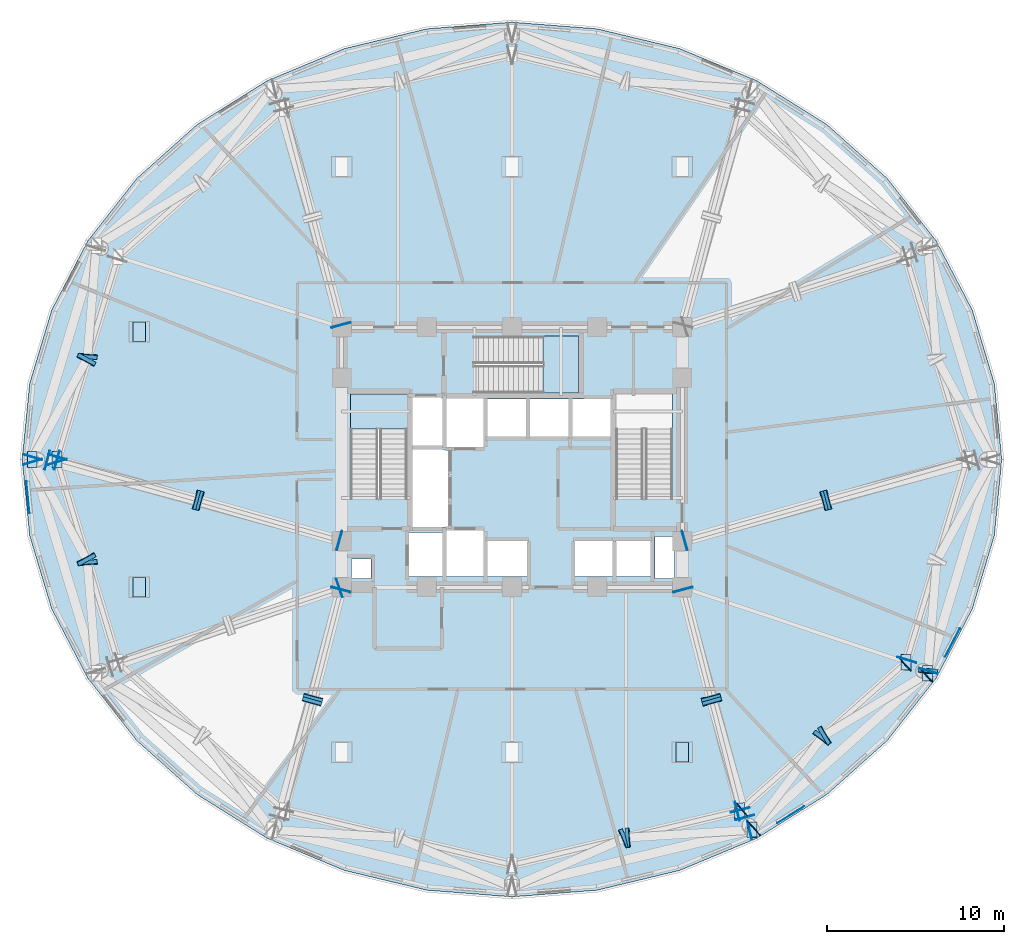
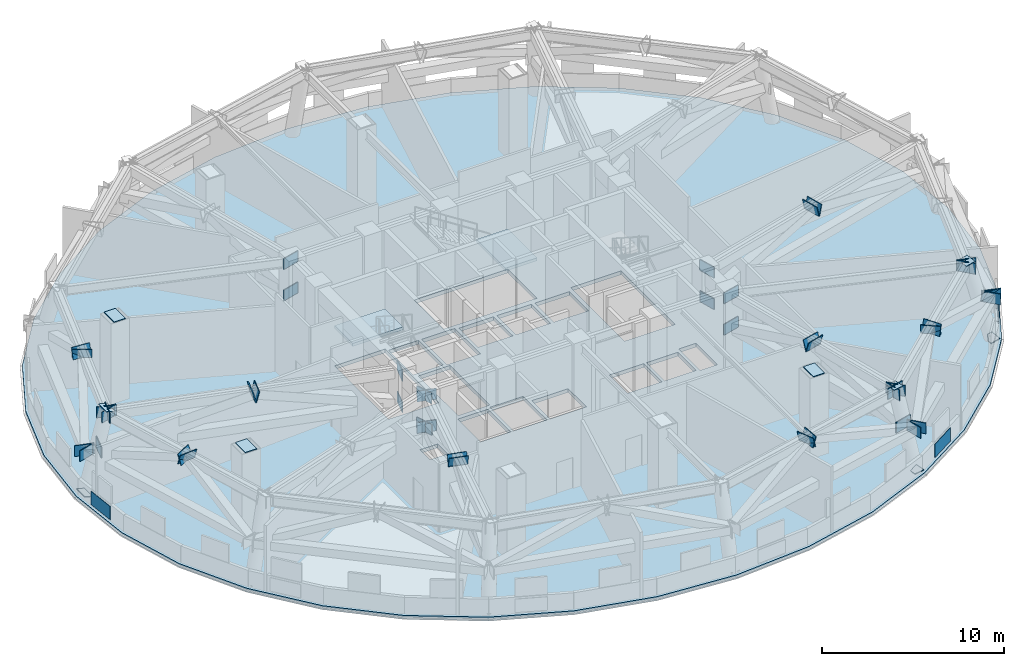
# One storey, part 4 of 14: 57 plates, 3 slabs, 2 elements without a shape of their own.
"""IFC4 building model written with IfcOpenShell, lengths in metres."""

from ifc_helpers import new_model, si_unit, direction, frame, origin, origin_2d, place, context, subcontext, project, spatial, polyline, rectangle, outline, extrude, material, layer, layer_set, type_object, element, aggregate, save


model = new_model("IFC4")

# Units and contexts
model_context = context("Model", 3, precision=1e-05, world=origin(), true_north=direction((0.0, 1.0)))
body_context = subcontext(model_context, "Body", "Model", "MODEL_VIEW")
ifc_project = project(units=[si_unit("LENGTHUNIT", "METRE"), si_unit("AREAUNIT", "SQUARE_METRE"), si_unit("VOLUMEUNIT", "CUBIC_METRE"), si_unit("PLANEANGLEUNIT", "RADIAN"), si_unit("MASSUNIT", "GRAM", prefix="KILO")], contexts=[model_context])

# Site, building, storey
site_placement = place(None, origin())
site = spatial("IfcSite", under=ifc_project, at=site_placement, CompositionType="ELEMENT")
building_placement = place(site_placement, origin())
building = spatial("IfcBuilding", under=site, at=building_placement, Name="Vantalir Tower", CompositionType="ELEMENT")
storey_placement = place(building_placement, frame((0.0, 0.0, 90.75)))
storey = spatial("IfcBuildingStorey", under=building, at=storey_placement, Name="L22", CompositionType="ELEMENT", Elevation=90.75)

# Plates
ifc_material_1 = material(Name="Steel S460", Category="steel")
ifc_layer_1 = layer(ifc_material_1, 0.044921875)
ifc_layer_set_1 = layer_set([ifc_layer_1], Name="Steel S460")
plate_type_1 = type_object("IfcPlateType", Name="PLT-BN-01", PredefinedType="USERDEFINED", material=ifc_layer_set_1)
plate_1_placement = place(storey_placement, frame((40.739990234375, 9.050048828125, 5.43701171875), z_axis=(0.0, 0.0, 1.0), x_axis=(0.0, -1.0, 0.0)))
element("IfcPlate", 1, at=plate_1_placement, inside=storey, type_object=plate_type_1, Name="L22 Mega-Column Cap Plate MC03", ObjectType="FLANGE_PLATE", PredefinedType="USERDEFINED", context=body_context, shape_type="SweptSolid", body=[
    extrude(outline(polyline([(0.0, 0.0), (1.10009765625, 0.0), (1.10009765625, 0.719970703125), (0.0, 0.719970703125), (0.0, 0.0)])), origin(), (0.0, 0.0, -1.0), 0.044921875),
])
for number, where, z_axis, x_axis, name in (
    (2, (10.139892578125, 18.35009765625, 5.43701171875), (0.0, 0.0, 1.0), (0.0, -1.0, 0.0), "L22 Mega-Column Cap Plate MC04"),
    (3, (10.139892578125, 32.75, 5.43701171875), (0.0, 0.0, 1.0), (0.0, -1.0, 0.0), "L22 Mega-Column Cap Plate MC05"),
):
    element("IfcPlate", number, at=place(storey_placement, frame(where, z_axis=z_axis, x_axis=x_axis)), inside=storey, type_object=plate_type_1, Name=name, ObjectType="FLANGE_PLATE", PredefinedType="USERDEFINED", context=body_context, shape_type="SweptSolid", body=[
        extrude(outline(polyline([(0.0, 0.0), (1.10009765625, 0.0), (1.10009765625, 0.72021484375), (0.0, 0.72021484375), (0.0, 0.0)])), origin(), (0.0, 0.0, -1.0), 0.044921875),
    ])
for number, where, z_axis, x_axis, name in (
    (4, (4.489013671875, 25.12890625, 2.4599609375), (0.0, 0.0, 1.0), (-0.288095989916, -0.957601535397, 0.0), "Node Cap Plate MEM-L22-BTCB-06 End"),
    (5, (5.888916015625, 25.12890625, 4.56005859375), (0.0, 0.0, 1.0), (-0.288095989916, -0.957601535397, 0.0), "Node Cap Plate MEM-L22-BTCT-06 End"),
):
    element("IfcPlate", number, at=place(storey_placement, frame(where, z_axis=z_axis, x_axis=x_axis)), inside=storey, type_object=plate_type_1, Name=name, ObjectType="FLANGE_PLATE", PredefinedType="USERDEFINED", context=body_context, shape_type="SweptSolid", body=[
        extrude(rectangle(XDim=0.044921875, YDim=1.10009765625, at=origin_2d()), origin(), (0.0, 0.0, 1.0), 0.719970703125),
    ])
plate_2_placement = place(storey_placement, frame((7.01708984375, 30.72021484375, 4.55224609375), z_axis=(-0.075545187489, -0.946474782726, 0.313812699409), x_axis=(0.996828791913, -0.079576116684, -3.5593745e-05)))
element("IfcPlate", 6, at=plate_2_placement, inside=storey, type_object=plate_type_1, Name="Node Cap Plate MEM-L22-BTDG-06A End", ObjectType="FLANGE_PLATE", PredefinedType="USERDEFINED", context=body_context, shape_type="SweptSolid", body=[
    extrude(outline(polyline([(0.0, 0.0), (1.0999330884693599, 0.0), (1.0999860456021062, 0.7200039702137869), (-0.00017098150866683975, 0.7199214944985355), (0.0, 0.0)])), origin(), (0.0, 0.0, -1.0), 0.044921875),
])
plate_3_placement = place(storey_placement, frame((8.06591796875, 30.474609375, 4.552001953125), z_axis=(0.455980936753, 0.835296250513, 0.307183266468), x_axis=(-0.877734376354, 0.479147539456, 0.0)))
element("IfcPlate", 7, at=plate_3_placement, inside=storey, type_object=plate_type_1, Name="Node Cap Plate MEM-L22-BTDG-06B End", ObjectType="FLANGE_PLATE", PredefinedType="USERDEFINED", context=body_context, shape_type="SweptSolid", body=[
    extrude(outline(polyline([(0.0, 0.0), (1.1000778799230795, 2.7755575615628914e-17), (1.100081401766379, 0.7198637335939378), (3.5218432995476334e-06, 0.7198637335939377), (0.0, 0.0)])), origin(), (0.0, 0.0, -1.0), 0.044921875),
])
for number, where, z_axis, x_axis, name in (
    (8, (4.489013671875, 24.87109375, 2.4599609375), (0.0, 0.0, 1.0), (0.288062563141, -0.957611591261, 0.0), "Node Cap Plate MEM-L22-BTCB-07 Start"),
    (9, (5.888916015625, 24.87109375, 4.56005859375), (0.0, 0.0, 1.0), (0.288062563141, -0.957611591261, 0.0), "Node Cap Plate MEM-L22-BTCT-07 Start"),
):
    element("IfcPlate", number, at=place(storey_placement, frame(where, z_axis=z_axis, x_axis=x_axis)), inside=storey, type_object=plate_type_1, Name=name, ObjectType="FLANGE_PLATE", PredefinedType="USERDEFINED", context=body_context, shape_type="SweptSolid", body=[
        extrude(rectangle(XDim=0.044921875, YDim=1.10009765625, at=origin_2d()), origin(), (0.0, 0.0, 1.0), 0.719970703125),
    ])
plate_4_placement = place(storey_placement, frame((7.100341796875, 18.997802734375, 4.552001953125), z_axis=(0.455980936753, -0.835296250513, 0.307183266468), x_axis=(0.877734376354, 0.479147539456, 0.0)))
element("IfcPlate", 10, at=plate_4_placement, inside=storey, type_object=plate_type_1, Name="Node Cap Plate MEM-L22-BTDG-07A End", ObjectType="FLANGE_PLATE", PredefinedType="USERDEFINED", context=body_context, shape_type="SweptSolid", body=[
    extrude(outline(polyline([(0.0, 0.0), (1.1000778799230795, -2.7755575615628914e-17), (1.1000743580797798, 0.7198637335939377), (-3.5218432995476334e-06, 0.7198637335939377), (0.0, 0.0)])), origin(), (0.0, 0.0, -1.0), 0.044921875),
])
plate_5_placement = place(storey_placement, frame((8.113525390625, 19.36669921875, 4.55224609375), z_axis=(-0.075444490677, 0.946533323672, 0.313660319461), x_axis=(-0.996838454805, -0.079454987357, 2.626265e-06)))
element("IfcPlate", 11, at=plate_5_placement, inside=storey, type_object=plate_type_1, Name="Node Cap Plate MEM-L22-BTDG-07B End", ObjectType="FLANGE_PLATE", PredefinedType="USERDEFINED", context=body_context, shape_type="SweptSolid", body=[
    extrude(outline(polyline([(0.0, 0.0), (1.0999136684573285, 3.469446951953614e-18), (1.1000346754603472, 0.719921515384006), (-0.00012236176036169047, 0.7199276004334602), (0.0, 0.0)])), origin(), (0.0, 0.0, -1.0), 0.044921875),
])
for number, where, z_axis, x_axis, name in (
    (12, (44.89404296875, 4.10400390625, 2.4599609375), (0.0, 0.0, 1.0), (0.972678718536, 0.232155358558, 0.0), "Node Cap Plate MEM-L22-BTCB-10 End"),
    (13, (44.194091796875, 5.18603515625, 4.56005859375), (0.0, 0.0, 1.0), (0.972694923667, 0.232087452208, 0.0), "Node Cap Plate MEM-L22-BTCT-10 End"),
):
    element("IfcPlate", number, at=place(storey_placement, frame(where, z_axis=z_axis, x_axis=x_axis)), inside=storey, type_object=plate_type_1, Name=name, ObjectType="FLANGE_PLATE", PredefinedType="USERDEFINED", context=body_context, shape_type="SweptSolid", body=[
        extrude(rectangle(XDim=0.044921875, YDim=1.10009765625, at=origin_2d()), origin(), (0.0, 0.0, 1.0), 0.719970703125),
    ])
plate_6_placement = place(storey_placement, frame((38.1533203125, 3.19189453125, 4.55126953125), z_axis=(0.87878221674, 0.380933171843, 0.287457360543), x_axis=(-0.397719547411, 0.917507036271, 0.0)))
element("IfcPlate", 14, at=plate_6_placement, inside=storey, type_object=plate_type_1, Name="Node Cap Plate MEM-L22-BTDG-10A End", ObjectType="FLANGE_PLATE", PredefinedType="USERDEFINED", context=body_context, shape_type="SweptSolid", body=[
    extrude(outline(polyline([(0.0, 0.0), (1.1000213664320597, -1.3877787807814457e-17), (1.1000765267500616, 0.7200897811236213), (5.516031800195664e-05, 0.7200897811236214), (0.0, 0.0)])), origin(), (0.0, 0.0, -1.0), 0.044921875),
])
plate_7_placement = place(storey_placement, frame((37.855712890625, 4.234619140625, 4.55126953125), z_axis=(-0.957314643324, -0.06045749582, 0.282654497359), x_axis=(0.063027650842, -0.998011781108, 0.0)))
element("IfcPlate", 15, at=plate_7_placement, inside=storey, type_object=plate_type_1, Name="Node Cap Plate MEM-L22-BTDG-10B End", ObjectType="FLANGE_PLATE", PredefinedType="USERDEFINED", context=body_context, shape_type="SweptSolid", body=[
    extrude(outline(polyline([(0.0, 0.0), (1.100087605585815, 6.938893903907228e-18), (1.1002200257231671, 0.7200355934995311), (0.00013242013735213293, 0.7200355934995311), (0.0, 0.0)])), origin(), (0.0, 0.0, -1.0), 0.044921875),
])
for number, where, z_axis, x_axis, name in (
    (16, (45.1259765625, 4.22509765625, 2.4599609375), (0.0, 0.0, 1.0), (0.746765883584, 0.665086998155, 0.0), "Node Cap Plate MEM-L22-BTCB-11 Start"),
    (17, (54.824951171875, 12.863037109375, 2.4599609375), (0.0, 0.0, 1.0), (0.746765883584, 0.665086998155, 0.0), "Node Cap Plate MEM-L22-BTCB-11 End"),
    (18, (44.426025390625, 5.306884765625, 4.56005859375), (0.0, 0.0, 1.0), (0.746812313596, 0.66503486244, 0.0), "Node Cap Plate MEM-L22-BTCT-11 Start"),
    (19, (53.613037109375, 13.488037109375, 4.56005859375), (0.0, 0.0, 1.0), (0.746812313596, 0.66503486244, 0.0), "Node Cap Plate MEM-L22-BTCT-11 End"),
):
    element("IfcPlate", number, at=place(storey_placement, frame(where, z_axis=z_axis, x_axis=x_axis)), inside=storey, type_object=plate_type_1, Name=name, ObjectType="FLANGE_PLATE", PredefinedType="USERDEFINED", context=body_context, shape_type="SweptSolid", body=[
        extrude(rectangle(XDim=0.044921875, YDim=1.10009765625, at=origin_2d()), origin(), (0.0, 0.0, 1.0), 0.719970703125),
    ])
plate_8_placement = place(storey_placement, frame((49.4755859375, 9.0888671875, 4.5517578125), z_axis=(0.576260353271, 0.759038967524, 0.302958497205), x_axis=(-0.796470073612, 0.604677948863, 0.0)))
element("IfcPlate", 20, at=plate_8_placement, inside=storey, type_object=plate_type_1, Name="Node Cap Plate MEM-L22-BTDG-11A End", ObjectType="FLANGE_PLATE", PredefinedType="USERDEFINED", context=body_context, shape_type="SweptSolid", body=[
    extrude(outline(polyline([(0.0, 0.0), (1.099823573442666, 0.0), (1.0997169182083626, 0.7201223461339227), (-0.00010665523430342105, 0.7201223461339227), (0.0, 0.0)])), origin(), (0.0, 0.0, -1.0), 0.044921875),
])
plate_9_placement = place(storey_placement, frame((48.714111328125, 9.85546875, 4.551513671875), z_axis=(-0.81965369578, -0.493214748166, 0.29138811092), x_axis=(0.515592927957, -0.856833666698, 1.5950468e-05)))
element("IfcPlate", 21, at=plate_9_placement, inside=storey, type_object=plate_type_1, Name="Node Cap Plate MEM-L22-BTDG-11B End", ObjectType="FLANGE_PLATE", PredefinedType="USERDEFINED", context=body_context, shape_type="SweptSolid", body=[
    extrude(outline(polyline([(0.0, 0.0), (1.0998780090567686, 0.0), (1.0998643559557049, 0.7199452428417695), (-0.00022284100797215426, 0.7199819251472238), (0.0, 0.0)])), origin(), (0.0, 0.0, -1.0), 0.044921875),
])
for number, where, z_axis, x_axis, name in (
    (22, (54.965087890625, 13.08203125, 2.4599609375), (0.0, 0.0, 1.0), (0.288062563141, 0.957611591261, 0.0), "Node Cap Plate MEM-L22-BTCB-12 Start"),
    (23, (53.7529296875, 13.70703125, 4.56005859375), (0.0, 0.0, 1.0), (0.288062563141, 0.957611591261, 0.0), "Node Cap Plate MEM-L22-BTCT-12 Start"),
):
    element("IfcPlate", number, at=place(storey_placement, frame(where, z_axis=z_axis, x_axis=x_axis)), inside=storey, type_object=plate_type_1, Name=name, ObjectType="FLANGE_PLATE", PredefinedType="USERDEFINED", context=body_context, shape_type="SweptSolid", body=[
        extrude(rectangle(XDim=0.044921875, YDim=1.10009765625, at=origin_2d()), origin(), (0.0, 0.0, 1.0), 0.719970703125),
    ])
plate_10_placement = place(storey_placement, frame((55.4951171875, 13.17138671875, 2.52783203125), z_axis=(0.075444490677, 0.946533323672, 0.313660319461), x_axis=(-0.996838454805, 0.079454987357, -2.626265e-06)))
element("IfcPlate", 24, at=plate_10_placement, inside=storey, type_object=plate_type_1, Name="Node Cap Plate MEM-L22-BTDG-12A Start", ObjectType="FLANGE_PLATE", PredefinedType="USERDEFINED", context=body_context, shape_type="SweptSolid", body=[
    extrude(outline(polyline([(0.0, 0.0), (1.0999136684573285, -3.469446951953614e-18), (1.1000360302176904, 0.7199276004334602), (-0.00012100700301834656, 0.719921515384006), (0.0, 0.0)])), origin(), (0.0, 0.0, -1.0), 0.044921875),
])
for number, where, z_axis, x_axis, name in (
    (25, (41.22998046875, 20.43603515625, 2.4599609375), (0.0, 0.0, 1.0), (0.9641695239, 0.26528688091, 0.0), "Node Cap Plate MEM-L22-ORCB-01 Start"),
    (26, (41.22998046875, 20.43701171875, 4.56005859375), (0.0, 0.0, 1.0), (0.961855980942, 0.273556341412, 0.0), "Node Cap Plate MEM-L22-ORCT-01 Start"),
):
    element("IfcPlate", number, at=place(storey_placement, frame(where, z_axis=z_axis, x_axis=x_axis)), inside=storey, type_object=plate_type_1, Name=name, ObjectType="FLANGE_PLATE", PredefinedType="USERDEFINED", context=body_context, shape_type="SweptSolid", body=[
        extrude(rectangle(XDim=0.044921875, YDim=1.10009765625, at=origin_2d()), origin(), (0.0, 0.0, 1.0), 0.719970703125),
    ])
plate_11_placement = place(storey_placement, frame((49.34423828125, 22.1728515625, 4.550537109375), z_axis=(0.933190140033, 0.265379983293, 0.242341962962), x_axis=(-0.273539809608, 0.961860682183, 2.5094562e-05)))
element("IfcPlate", 27, at=plate_11_placement, inside=storey, type_object=plate_type_1, Name="Node Cap Plate MEM-L22-ORDG-01A End", ObjectType="FLANGE_PLATE", PredefinedType="USERDEFINED", context=body_context, shape_type="SweptSolid", body=[
    extrude(outline(polyline([(0.0, 0.0), (1.1000924760323592, 1.3877787807814457e-17), (1.0999628315329462, 0.720170503977358), (-6.286231933270773e-05, 0.7202274113372754), (0.0, 0.0)])), origin(), (0.0, 0.0, -1.0), 0.044921875),
])
plate_12_placement = place(storey_placement, frame((49.044189453125, 23.23095703125, 4.550537109375), z_axis=(-0.940661166568, -0.250641312328, 0.228769539635), x_axis=(0.257470684686, -0.966286110056, 6.364068e-06)))
element("IfcPlate", 28, at=plate_12_placement, inside=storey, type_object=plate_type_1, Name="Node Cap Plate MEM-L22-ORDG-01B Start", ObjectType="FLANGE_PLATE", PredefinedType="USERDEFINED", context=body_context, shape_type="SweptSolid", body=[
    extrude(outline(polyline([(0.0, 0.0), (1.0998314041281183, 0.0), (1.1000075908014069, 0.7200150950947488), (-5.972302154930143e-05, 0.7200294767930976), (0.0, 0.0)])), origin(), (0.0, 0.0, -1.0), 0.044921875),
])
for number, where, z_axis, x_axis, name in (
    (29, (21.864013671875, 32.580078125, 2.4599609375), (0.0, 0.0, 1.0), (-0.266952449408, 0.963709702013, 0.0), "Node Cap Plate MEM-L22-ORCB-04 Start"),
    (30, (21.864990234375, 32.5810546875, 4.56005859375), (0.0, 0.0, 1.0), (-0.255681989828, 0.966760942569, 0.0), "Node Cap Plate MEM-L22-ORCT-04 Start"),
    (31, (21.77001953125, 20.43603515625, 2.4599609375), (0.0, 0.0, 1.0), (-0.9641695239, 0.26528688091, 0.0), "Node Cap Plate MEM-L22-ORCB-05 Start"),
    (32, (5.31103515625, 24.964111328125, 2.4599609375), (0.0, 0.0, 1.0), (-0.9641695239, 0.26528688091, 0.0), "Node Cap Plate MEM-L22-ORCB-05 End"),
    (33, (21.77001953125, 20.43701171875, 4.56005859375), (0.0, 0.0, 1.0), (-0.961855980942, 0.273556341412, 0.0), "Node Cap Plate MEM-L22-ORCT-05 Start"),
    (34, (5.85498046875, 24.962890625, 4.56005859375), (0.0, 0.0, 1.0), (-0.961855980942, 0.273556341412, 0.0), "Node Cap Plate MEM-L22-ORCT-05 End"),
):
    element("IfcPlate", number, at=place(storey_placement, frame(where, z_axis=z_axis, x_axis=x_axis)), inside=storey, type_object=plate_type_1, Name=name, ObjectType="FLANGE_PLATE", PredefinedType="USERDEFINED", context=body_context, shape_type="SweptSolid", body=[
        extrude(rectangle(XDim=0.044921875, YDim=1.10009765625, at=origin_2d()), origin(), (0.0, 0.0, 1.0), 0.719970703125),
    ])
plate_13_placement = place(storey_placement, frame((13.956787109375, 23.23095703125, 4.550537109375), z_axis=(-0.933190140033, 0.265379983293, 0.242341962962), x_axis=(-0.273539809608, -0.961860682183, -2.5094562e-05)))
element("IfcPlate", 35, at=plate_13_placement, inside=storey, type_object=plate_type_1, Name="Node Cap Plate MEM-L22-ORDG-05A End", ObjectType="FLANGE_PLATE", PredefinedType="USERDEFINED", context=body_context, shape_type="SweptSolid", body=[
    extrude(outline(polyline([(0.0, 0.0), (1.1000924760323592, -1.3877787807814457e-17), (1.1001553383516918, 0.7202274113372755), (0.0001296444994129029, 0.7201705039773579), (0.0, 0.0)])), origin(), (0.0, 0.0, -1.0), 0.044921875),
])
plate_14_placement = place(storey_placement, frame((13.672607421875, 22.168212890625, 4.550537109375), z_axis=(0.940661166568, -0.250641312328, 0.228769539635), x_axis=(0.257470684686, 0.966286110056, -6.364068e-06)))
element("IfcPlate", 36, at=plate_14_placement, inside=storey, type_object=plate_type_1, Name="Node Cap Plate MEM-L22-ORDG-05B Start", ObjectType="FLANGE_PLATE", PredefinedType="USERDEFINED", context=body_context, shape_type="SweptSolid", body=[
    extrude(outline(polyline([(0.0, 0.0), (1.0998314041281183, 0.0), (1.0998911271496676, 0.7200294767930975), (-0.00017618667328857967, 0.7200150950947488), (0.0, 0.0)])), origin(), (0.0, 0.0, -1.0), 0.044921875),
])
for number, where, z_axis, x_axis, name in (
    (37, (21.77197265625, 17.756103515625, 2.4599609375), (0.0, 0.0, 1.0), (-0.946006182629, -0.324148580789, 0.0), "Node Cap Plate MEM-L22-ORCB-06 Start"),
    (38, (21.77197265625, 17.757080078125, 4.56005859375), (0.0, 0.0, 1.0), (-0.947851880881, -0.318711173181, 0.0), "Node Cap Plate MEM-L22-ORCT-06 Start"),
    (39, (21.864990234375, 17.669921875, 2.4599609375), (0.0, 0.0, 1.0), (-0.262206021316, -0.965011918261, 0.0), "Node Cap Plate MEM-L22-ORCB-07 Start"),
    (40, (21.865966796875, 17.6689453125, 4.56005859375), (0.0, 0.0, 1.0), (-0.250971365041, -0.967994511312, 0.0), "Node Cap Plate MEM-L22-ORCT-07 Start"),
):
    element("IfcPlate", number, at=place(storey_placement, frame(where, z_axis=z_axis, x_axis=x_axis)), inside=storey, type_object=plate_type_1, Name=name, ObjectType="FLANGE_PLATE", PredefinedType="USERDEFINED", context=body_context, shape_type="SweptSolid", body=[
        extrude(rectangle(XDim=0.044921875, YDim=1.10009765625, at=origin_2d()), origin(), (0.0, 0.0, 1.0), 0.719970703125),
    ])
plate_15_placement = place(storey_placement, frame((19.71630859375, 11.568603515625, 4.5517578125), z_axis=(-0.238960989734, -0.921812362873, 0.305220597338), x_axis=(0.968001375879, -0.250944885028, -3.1225204e-05)))
element("IfcPlate", 41, at=plate_15_placement, inside=storey, type_object=plate_type_1, Name="Node Cap Plate MEM-L22-ORDG-07A End", ObjectType="FLANGE_PLATE", PredefinedType="USERDEFINED", context=body_context, shape_type="SweptSolid", body=[
    extrude(outline(polyline([(0.0, 0.0), (1.0999200842710355, 1.3877787807814457e-17), (1.0998850890572995, 0.7201917024477991), (2.6270627335458765e-05, 0.7201195719554738), (0.0, 0.0)])), origin(), (0.0, 0.0, -1.0), 0.044921875),
])
plate_16_placement = place(storey_placement, frame((20.7919921875, 11.3330078125, 4.55126953125), z_axis=(0.2612407779, 0.921838642406, 0.286298399105), x_axis=(-0.962109785963, 0.272662353282, -2.9286488e-05)))
element("IfcPlate", 42, at=plate_16_placement, inside=storey, type_object=plate_type_1, Name="Node Cap Plate MEM-L22-ORDG-07B Start", ObjectType="FLANGE_PLATE", PredefinedType="USERDEFINED", context=body_context, shape_type="SweptSolid", body=[
    extrude(outline(polyline([(0.0, 0.0), (1.1000605357254643, 1.3877787807814457e-17), (1.0999452998702408, 0.7201173697927882), (-4.866789787925039e-05, 0.7200501230055177), (0.0, 0.0)])), origin(), (0.0, 0.0, -1.0), 0.044921875),
])
for number, where, z_axis, x_axis, name in (
    (43, (41.135009765625, 17.669921875, 2.4599609375), (0.0, 0.0, 1.0), (0.262206021316, -0.965011918261, 0.0), "Node Cap Plate MEM-L22-ORCB-08 Start"),
    (44, (44.6240234375, 4.830078125, 2.4599609375), (0.0, 0.0, 1.0), (0.262206021316, -0.965011918261, 0.0), "Node Cap Plate MEM-L22-ORCB-08 End"),
    (45, (41.134033203125, 17.6689453125, 4.56005859375), (0.0, 0.0, 1.0), (0.250971365041, -0.967994511312, 0.0), "Node Cap Plate MEM-L22-ORCT-08 Start"),
    (46, (44.35302734375, 5.251953125, 4.56005859375), (0.0, 0.0, 1.0), (0.250971365041, -0.967994511312, 0.0), "Node Cap Plate MEM-L22-ORCT-08 End"),
):
    element("IfcPlate", number, at=place(storey_placement, frame(where, z_axis=z_axis, x_axis=x_axis)), inside=storey, type_object=plate_type_1, Name=name, ObjectType="FLANGE_PLATE", PredefinedType="USERDEFINED", context=body_context, shape_type="SweptSolid", body=[
        extrude(rectangle(XDim=0.044921875, YDim=1.10009765625, at=origin_2d()), origin(), (0.0, 0.0, 1.0), 0.719970703125),
    ])
plate_17_placement = place(storey_placement, frame((42.218994140625, 11.29248046875, 4.5517578125), z_axis=(0.238960989734, -0.921812362873, 0.305220597338), x_axis=(0.968001375879, 0.250944885028, 3.1225204e-05)))
element("IfcPlate", 47, at=plate_17_placement, inside=storey, type_object=plate_type_1, Name="Node Cap Plate MEM-L22-ORDG-08A End", ObjectType="FLANGE_PLATE", PredefinedType="USERDEFINED", context=body_context, shape_type="SweptSolid", body=[
    extrude(outline(polyline([(0.0, 0.0), (1.0999200842710355, -1.3877787807814457e-17), (1.0998938136437002, 0.7201195719554738), (3.499521373593217e-05, 0.7201917024477991), (0.0, 0.0)])), origin(), (0.0, 0.0, -1.0), 0.044921875),
])
plate_18_placement = place(storey_placement, frame((43.266357421875, 11.633056640625, 4.55126953125), z_axis=(-0.2612407779, 0.921838642406, 0.286298399105), x_axis=(-0.962109785963, -0.272662353282, 2.9286488e-05)))
element("IfcPlate", 48, at=plate_18_placement, inside=storey, type_object=plate_type_1, Name="Node Cap Plate MEM-L22-ORDG-08B Start", ObjectType="FLANGE_PLATE", PredefinedType="USERDEFINED", context=body_context, shape_type="SweptSolid", body=[
    extrude(outline(polyline([(0.0, 0.0), (1.1000605357254643, -1.3877787807814457e-17), (1.1001092036233435, 0.7200501230055177), (0.00011523585522347166, 0.7201173697927882), (0.0, 0.0)])), origin(), (0.0, 0.0, -1.0), 0.044921875),
])
ifc_layer_2 = layer(ifc_material_1, 0.035888671875)
ifc_layer_set_2 = layer_set([ifc_layer_2], Name="Steel S460")
plate_type_2 = type_object("IfcPlateType", Name="PLT-KN-Z2", PredefinedType="USERDEFINED", material=ifc_layer_set_2)
plate_19_placement = place(storey_placement, frame((5.5771484375, 25.43994140625, 5.322265625), z_axis=(0.259233889874, 0.0, 0.965814573477), x_axis=(0.0, -1.0, 0.0)))
element("IfcPlate", 49, at=plate_19_placement, inside=storey, type_object=plate_type_2, Name="L22 Ring Column Top Cap RC07", ObjectType="FLANGE_PLATE", PredefinedType="USERDEFINED", context=body_context, shape_type="SweptSolid", body=[
    extrude(outline(polyline([(0.0, 0.0), (0.8798828125, 0.0), (0.8798828125, 0.5801348931377877), (0.0, 0.5801348931377877), (0.0, 0.0)])), origin(), (0.0, 0.0, -1.0), 0.035888671875),
])
plate_20_placement = place(storey_placement, frame((4.18359375, 25.43994140625, 0.126220703125), z_axis=(0.258841272413, 0.0, 0.965919870225), x_axis=(0.0, -1.0, 0.0)))
element("IfcPlate", 50, at=plate_20_placement, inside=storey, type_object=plate_type_2, Name="L22 Ring Column Base Cap RC07", ObjectType="FLANGE_PLATE", PredefinedType="USERDEFINED", context=body_context, shape_type="SweptSolid", body=[
    extrude(outline(polyline([(0.0, 0.0), (0.8798828125, 0.0), (0.8798828125, 0.5800716515382163), (0.0, 0.5800716515382163), (0.0, 0.0)])), origin(), (0.0, 0.0, -1.0), 0.035888671875),
])
plate_21_placement = place(storey_placement, frame((44.033935546875, 5.645751953125, 5.120849609375), z_axis=(-0.130293837358, 0.201369670395, 0.970810883639), x_axis=(0.0, -0.979157788848, 0.203101020526)))
element("IfcPlate", 51, at=plate_21_placement, inside=storey, type_object=plate_type_2, Name="L22 Ring Column Top Cap RC11", ObjectType="FLANGE_PLATE", PredefinedType="USERDEFINED", context=body_context, shape_type="SweptSolid", body=[
    extrude(outline(polyline([(0.0, 0.0), (0.8799115683273657, -3.469446951953614e-18), (0.8798755987282436, 0.5798945269735878), (-3.596959912221219e-05, 0.5798945269735878), (0.0, 0.0)])), origin(), (0.0, 0.0, -1.0), 0.035888671875),
])
plate_22_placement = place(storey_placement, frame((44.73046875, 4.56884765625, -0.07470703125), z_axis=(-0.129994928265, 0.20121841965, 0.970882313269), x_axis=(-1.3881072e-05, -0.979191452947, 0.202938656452)))
element("IfcPlate", 52, at=plate_22_placement, inside=storey, type_object=plate_type_2, Name="L22 Ring Column Base Cap RC11", ObjectType="FLANGE_PLATE", PredefinedType="USERDEFINED", context=body_context, shape_type="SweptSolid", body=[
    extrude(outline(polyline([(0.0, 0.0), (0.8798620105754259, -6.938893903907228e-18), (0.880044588460283, 0.5801301306145042), (-0.00010602809888306253, 0.5801054906739255), (0.0, 0.0)])), origin(), (0.0, 0.0, -1.0), 0.035888671875),
])
plate_23_placement = place(storey_placement, frame((53.425048828125, 14.010498046875, 5.130126953125), z_axis=(-0.224659802604, 0.115705110532, 0.967543435971), x_axis=(0.0, -0.992925328274, 0.118740441604)))
element("IfcPlate", 53, at=plate_23_placement, inside=storey, type_object=plate_type_2, Name="L22 Ring Column Top Cap RC12", ObjectType="FLANGE_PLATE", PredefinedType="USERDEFINED", context=body_context, shape_type="SweptSolid", body=[
    extrude(outline(polyline([(0.0, 0.0), (0.8800050436764012, 0.0), (0.8800973626141307, 0.5800122493759312), (9.231893772955815e-05, 0.5800122493759311), (0.0, 0.0)])), origin(), (0.0, 0.0, -1.0), 0.035888671875),
])
plate_24_placement = place(storey_placement, frame((54.631591796875, 13.38818359375, -0.065673828125), z_axis=(-0.224707259791, 0.115703811199, 0.967532570755), x_axis=(0.0, -0.992925328274, 0.118740441604)))
element("IfcPlate", 54, at=plate_24_placement, inside=storey, type_object=plate_type_2, Name="L22 Ring Column Base Cap RC12", ObjectType="FLANGE_PLATE", PredefinedType="USERDEFINED", context=body_context, shape_type="SweptSolid", body=[
    extrude(outline(polyline([(0.0, 0.0), (0.8800050436764012, 0.0), (0.8798549492039076, 0.5800187628089711), (-0.00015009447249354074, 0.5800187628089711), (0.0, 0.0)])), origin(), (0.0, 0.0, -1.0), 0.035888671875),
])
ifc_material_2 = material(Name="Champagne-silver PVDF aluminium cassette", Category="aluminium")
ifc_layer_3 = layer(ifc_material_2, 0.02392578125)
ifc_layer_set_3 = layer_set([ifc_layer_3], Name="Champagne-silver PVDF aluminium cassette")
plate_type_3 = type_object("IfcPlateType", Name="PLT-SC-01", PredefinedType="SHEET", material=ifc_layer_set_3)
for number, where, z_axis, x_axis, name in (
    (55, (4.219970703125, 22.87109375, 0.10009765625), (0.0, 0.0, 1.0), (0.09761763969, -0.99522399309, 0.0), "L22 PVDF Aluminium Spandrel Cassette R19"),
    (56, (47.2119140625, 4.985107421875, 0.10009765625), (0.0, 0.0, 1.0), (0.848168309194, 0.529726834585, 0.0), "L22 PVDF Aluminium Spandrel Cassette R31"),
    (57, (56.320068359375, 14.676025390625, 0.10009765625), (0.0, 0.0, 1.0), (0.463218697504, 0.886244006063, 0.0), "L22 PVDF Aluminium Spandrel Cassette R34"),
):
    element("IfcPlate", number, at=place(storey_placement, frame(where, z_axis=z_axis, x_axis=x_axis)), inside=storey, type_object=plate_type_3, Name=name, PredefinedType="SHEET", context=body_context, shape_type="SweptSolid", body=[
        extrude(rectangle(XDim=1.800048828125, YDim=0.02392578125, at=origin_2d()), origin(), (0.0, 0.0, 1.0), 0.89990234375),
    ])

# Stair, slab
ifc_material_3 = material(Name="Concrete C40/50", Category="concrete")
stair_type = type_object("IfcStairType", Name="STR-CORE-1450", PredefinedType="HALF_TURN_STAIR", material=ifc_material_3)
stair_1_placement = place(storey_placement, origin())
stair_1 = element("IfcStair", 58, at=stair_1_placement, inside=storey, type_object=stair_type, Name="L22 Core Exit Stair 1", PredefinedType="HALF_TURN_STAIR")
ifc_layer_4 = layer(ifc_material_3, 0.199951171875)
ifc_layer_set_4 = layer_set([ifc_layer_4], Name="Concrete C40/50")
slab_type_1 = type_object("IfcSlabType", Name="SL-LAND-200", PredefinedType="LANDING", material=ifc_layer_set_4)
slab_1_placement = place(storey_placement, frame((0.0, 0.0, 2.5)))
slab_1 = element("IfcSlab", 59, at=slab_1_placement, type_object=slab_type_1, Name="ST1 landing 1", PredefinedType="LANDING", context=body_context, shape_type="SweptSolid", body=[
    extrude(outline(polyline([(25.60009765625, 26.7099609375), (25.60009765625, 28.699951171875), (22.39990234375, 28.699951171875), (22.39990234375, 26.7099609375), (25.60009765625, 26.7099609375)])), origin(), (0.0, 0.0, 1.0), 0.199951171875),
])
aggregate(stair_1, [slab_1])

stair_2_placement = place(storey_placement, origin())
stair_2 = element("IfcStair", 60, at=stair_2_placement, inside=storey, type_object=stair_type, Name="L22 Core Exit Stair 3", PredefinedType="HALF_TURN_STAIR")
slab_2_placement = place(storey_placement, frame((0.0, 0.0, 2.5)))
slab_2 = element("IfcSlab", 61, at=slab_2_placement, type_object=slab_type_1, Name="ST3 landing 1", PredefinedType="LANDING", context=body_context, shape_type="SweptSolid", body=[
    extrude(outline(polyline([(33.260009765625, 28.75), (35.25, 28.75), (35.25, 31.949951171875), (33.260009765625, 31.949951171875), (33.260009765625, 28.75)])), origin(), (0.0, 0.0, 1.0), 0.199951171875),
])
aggregate(stair_2, [slab_2])

# Slab
ifc_material_4 = material(Name="Concrete C50/60", Category="concrete")
ifc_layer_5 = layer(ifc_material_4, 0.25)
ifc_layer_set_5 = layer_set([ifc_layer_5], Name="Concrete C50/60")
slab_type_2 = type_object("IfcSlabType", Name="SL-PLNT-250", PredefinedType="FLOOR", material=ifc_layer_set_5)
slab_3_placement = place(storey_placement, frame((0.0, 0.0, -0.25)))
element("IfcSlab", 62, at=slab_3_placement, inside=storey, type_object=slab_type_2, Name="L22 Primary Structural Slab", PredefinedType="FLOOR", context=body_context, shape_type="SweptSolid", body=[
    extrude(outline(polyline([(7.597900390625, 12.677978515625), (10.35693359375, 9.159912109375), (13.759033203125, 6.1220703125), (17.699951171875, 3.658935546875), (22.06005859375, 1.843017578125), (26.70703125, 0.73095703125), (31.5, 0.35693359375), (36.29296875, 0.73095703125), (40.93994140625, 1.843017578125), (45.300048828125, 3.658935546875), (49.240966796875, 6.1220703125), (52.64306640625, 9.159912109375), (55.402099609375, 12.677978515625), (57.43603515625, 16.572021484375), (58.680908203125, 20.720947265625), (59.10009765625, 25.0), (58.680908203125, 29.279052734375), (57.43603515625, 33.427978515625), (55.402099609375, 37.321044921875), (52.64306640625, 40.840087890625), (49.240966796875, 43.8779296875), (45.300048828125, 46.341064453125), (40.93994140625, 48.156982421875), (36.29296875, 49.26904296875), (31.5, 49.64306640625), (26.70703125, 49.26904296875), (22.06005859375, 48.156982421875), (17.699951171875, 46.341064453125), (13.759033203125, 43.8779296875), (10.35693359375, 40.840087890625), (7.597900390625, 37.321044921875), (5.56396484375, 33.427978515625), (4.319091796875, 29.279052734375), (3.89990234375, 25.0), (4.319091796875, 20.720947265625), (5.56396484375, 16.572021484375), (7.597900390625, 12.677978515625)]), holes=[polyline([(22.39990234375, 22.7900390625), (22.39990234375, 28.699951171875), (25.60009765625, 28.699951171875), (25.60009765625, 22.7900390625), (22.39990234375, 22.7900390625)]), polyline([(37.35009765625, 28.699951171875), (40.550048828125, 28.699951171875), (40.550048828125, 22.7900390625), (37.35009765625, 22.7900390625), (37.35009765625, 28.699951171875)]), polyline([(35.25, 28.75), (29.340087890625, 28.75), (29.340087890625, 31.949951171875), (35.25, 31.949951171875), (35.25, 28.75)]), polyline([(27.60009765625, 18.39990234375), (25.699951171875, 18.39990234375), (25.699951171875, 20.89990234375), (27.60009765625, 20.89990234375), (27.60009765625, 18.39990234375)]), polyline([(25.699951171875, 25.800048828125), (25.699951171875, 28.5), (27.60009765625, 28.5), (27.60009765625, 25.800048828125), (25.699951171875, 25.800048828125)]), polyline([(27.800048828125, 21.0), (29.89990234375, 21.0), (29.89990234375, 18.39990234375), (27.800048828125, 18.39990234375), (27.800048828125, 21.0)]), polyline([(29.89990234375, 28.5), (29.89990234375, 25.699951171875), (27.800048828125, 25.699951171875), (27.800048828125, 28.5), (29.89990234375, 28.5)]), polyline([(32.39990234375, 18.39990234375), (30.10009765625, 18.39990234375), (30.10009765625, 20.39990234375), (32.39990234375, 20.39990234375), (32.39990234375, 18.39990234375)]), polyline([(37.35009765625, 18.39990234375), (37.35009765625, 20.39990234375), (39.35009765625, 20.39990234375), (39.35009765625, 18.39990234375), (37.35009765625, 18.39990234375)]), polyline([(35.0, 20.39990234375), (37.199951171875, 20.39990234375), (37.199951171875, 18.39990234375), (35.0, 18.39990234375), (35.0, 20.39990234375)]), polyline([(32.300048828125, 28.39990234375), (32.300048828125, 26.300048828125), (30.10009765625, 26.300048828125), (30.10009765625, 28.39990234375), (32.300048828125, 28.39990234375)]), polyline([(34.699951171875, 26.300048828125), (32.5, 26.300048828125), (32.5, 28.39990234375), (34.699951171875, 28.39990234375), (34.699951171875, 26.300048828125)]), polyline([(34.89990234375, 26.300048828125), (34.89990234375, 28.39990234375), (37.10009765625, 28.39990234375), (37.10009765625, 26.300048828125), (34.89990234375, 26.300048828125)]), polyline([(25.889892578125, 25.56005859375), (27.89990234375, 25.56005859375), (27.89990234375, 21.199951171875), (25.889892578125, 21.199951171875), (25.889892578125, 25.56005859375)]), polyline([(23.550048828125, 19.39990234375), (23.550048828125, 18.300048828125), (22.449951171875, 18.300048828125), (22.449951171875, 19.39990234375), (23.550048828125, 19.39990234375)]), polyline([(40.64990234375, 18.300048828125), (39.550048828125, 18.300048828125), (39.550048828125, 20.64990234375), (40.64990234375, 20.64990234375), (40.64990234375, 18.300048828125)])]), origin(), (0.0, 0.0, 1.0), 0.25),
])

save(model, "model.ifc")
